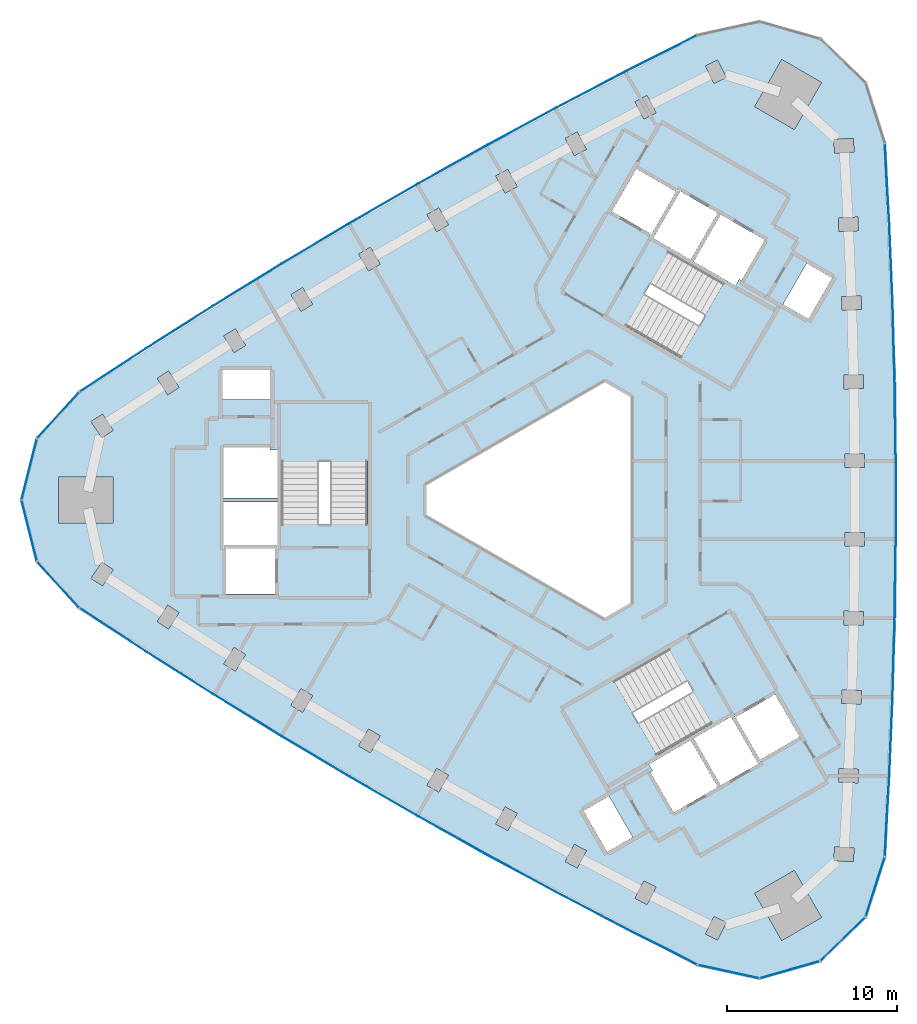
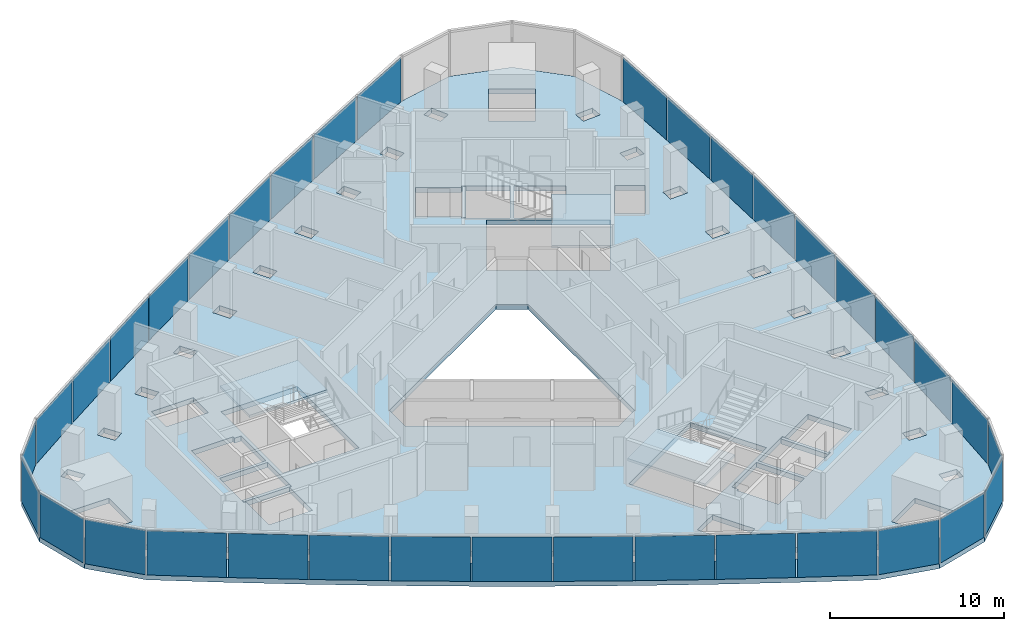
# One storey, part 6 of 12: 35 plates, 4 slabs, 6 elements without a shape of their own.
"""IFC4 building model written with IfcOpenShell, lengths in metres."""

import ifcopenshell
import ifcopenshell.guid

model = None  # the IFC model being written
_history = None  # IfcOwnerHistory: only IFC2X3 demands one
_inside = {}  # id of a spatial element -> (the spatial element, [elements in it])
_under = {}  # id of a project, library or spatial element -> (it, [spatial elements below it])
_declared = {}  # id of a project -> (the project, [libraries it declares])
_typed = {}  # id of a type object -> (the type object, [elements of that type])
_made_of = {}  # id of a material, layer set ... -> (it, [elements and type objects made of it])


def new_model(schema):
    """Start an empty IFC model of exactly this schema.

    Asked for "IFC4X3", IfcOpenShell would pick the latest addendum, in which some entities
    have other attributes; the version numbers below select the first issue.
    IFC2X3 requires an IfcOwnerHistory on every rooted entity: one is made here for all.
    """
    global model, _history
    if schema == "IFC4X3":
        model = ifcopenshell.file(schema_version=(4, 3, 0, 0))
    else:
        model = ifcopenshell.file(schema=schema)
    _inside.clear()
    _under.clear()
    _declared.clear()
    _typed.clear()
    _made_of.clear()
    _history = None
    if model.schema == "IFC2X3":
        org = make("IfcOrganization", Name="unknown")
        user = make(
            "IfcPersonAndOrganization",
            ThePerson=make("IfcPerson", FamilyName="unknown"),
            TheOrganization=org,
        )
        app = make(
            "IfcApplication",
            ApplicationDeveloper=org,
            Version="unknown",
            ApplicationFullName="unknown",
            ApplicationIdentifier="unknown",
        )
        _history = make(
            "IfcOwnerHistory",
            OwningUser=user,
            OwningApplication=app,
            ChangeAction="ADDED",
            CreationDate=0,
        )
    return model


def make(cls, **values):
    """One entity of the class cls with the attributes given. An attribute that is None is left unset."""
    return model.create_entity(
        cls, **{name: value for name, value in values.items() if value is not None}
    )


def rooted(cls, **values):
    """An entity with a GlobalId (a new one), such as an element, a storey or a relation."""
    return make(cls, GlobalId=ifcopenshell.guid.new(), OwnerHistory=_history, **values)


def si_unit(unit_type, name, prefix=None):
    """IfcSIUnit, for example si_unit("LENGTHUNIT", "METRE", prefix="MILLI")."""
    return make("IfcSIUnit", UnitType=unit_type, Prefix=prefix, Name=name)


def assignment(units):
    """IfcUnitAssignment: the units of a project."""
    return None if units is None else make("IfcUnitAssignment", Units=units)


def point(xyz):
    """IfcCartesianPoint."""
    return None if xyz is None else make("IfcCartesianPoint", Coordinates=xyz)


def direction(xyz):
    """IfcDirection."""
    return None if xyz is None else make("IfcDirection", DirectionRatios=xyz)


def frame(location, z_axis=None, x_axis=None):
    """IfcAxis2Placement3D, a coordinate frame: its origin and axes. An axis left out is left unset."""
    return make(
        "IfcAxis2Placement3D",
        Location=point(location),
        Axis=direction(z_axis),
        RefDirection=direction(x_axis),
    )


def frame_2d(location, x_axis=None):
    """IfcAxis2Placement2D, a coordinate frame in the plane: its origin and x axis."""
    return make(
        "IfcAxis2Placement2D", Location=point(location), RefDirection=direction(x_axis)
    )


def origin():
    """The frame at (0, 0, 0) with its axes left unset."""
    return frame((0.0, 0.0, 0.0))


def origin_2d():
    """The frame at (0, 0) in the plane with its x axis left unset."""
    return frame_2d((0.0, 0.0))


def place(relative_to, where):
    """IfcLocalPlacement: puts the frame where relative to a parent placement (None: the world)."""
    return make(
        "IfcLocalPlacement", PlacementRelTo=relative_to, RelativePlacement=where
    )


def context(
    kind, dimensions, precision=None, world=None, true_north=None, identifier=None
):
    """IfcGeometricRepresentationContext, for example the 3D "Model" context."""
    return make(
        "IfcGeometricRepresentationContext",
        ContextIdentifier=identifier,
        ContextType=kind,
        CoordinateSpaceDimension=dimensions,
        Precision=precision,
        WorldCoordinateSystem=world,
        TrueNorth=true_north,
    )


def subcontext(parent, identifier, kind, view, scale=None):
    """IfcGeometricRepresentationSubContext, for example "Body" below "Model"."""
    return make(
        "IfcGeometricRepresentationSubContext",
        ContextIdentifier=identifier,
        ContextType=kind,
        ParentContext=parent,
        TargetScale=scale,
        TargetView=view,
    )


def project(units=None, contexts=None):
    """IfcProject with its units and contexts."""
    return rooted(
        "IfcProject",
        Name="project",
        RepresentationContexts=contexts,
        UnitsInContext=assignment(units),
    )


def spatial(cls, under=None, at=None, **own):
    """A site, building, storey or space (cls), placed at a placement, below another one or the project."""
    s = rooted(cls, ObjectPlacement=at, **own)
    if under is not None:
        _under.setdefault(under.id(), (under, []))[1].append(s)
    return s


def polyline(points):
    """IfcPolyline through the points."""
    return make("IfcPolyline", Points=[point(p) for p in points])


def profile(cls, at=None, kind="AREA", **sizes):
    """A parametric profile (cls). Its sizes go by their IFC names, for example OverallWidth=200.0."""
    return make(cls, ProfileType=kind, Position=at, **sizes)


def rectangle(**sizes):
    """IfcRectangleProfileDef."""
    return profile("IfcRectangleProfileDef", **sizes)


def outline(outer, holes=None, kind="AREA"):
    """IfcArbitraryClosedProfileDef: a profile drawn as a closed curve; with holes, ...WithVoids."""
    if holes is None:
        return make("IfcArbitraryClosedProfileDef", ProfileType=kind, OuterCurve=outer)
    return make(
        "IfcArbitraryProfileDefWithVoids",
        ProfileType=kind,
        OuterCurve=outer,
        InnerCurves=holes,
    )


def extrude(swept, where, along, depth):
    """IfcExtrudedAreaSolid: the profile swept, set in the frame where, extruded along a direction by depth."""
    return make(
        "IfcExtrudedAreaSolid",
        SweptArea=swept,
        Position=where,
        ExtrudedDirection=direction(along),
        Depth=depth,
    )


def shape(context_of_items, identifier, shape_type, items):
    """IfcShapeRepresentation: the items that make up one representation, for example the "Body"."""
    return make(
        "IfcShapeRepresentation",
        ContextOfItems=context_of_items,
        RepresentationIdentifier=identifier,
        RepresentationType=shape_type,
        Items=items,
    )


def material(Name=None, Category=None):
    """IfcMaterial."""
    return make("IfcMaterial", Name=Name, Category=Category)


def layer(
    of_material, thickness, ventilated=None, Name=None, Category=None, Priority=None
):
    """IfcMaterialLayer: one layer of a wall or slab, of a material (None: an air gap)."""
    return make(
        "IfcMaterialLayer",
        Material=of_material,
        LayerThickness=thickness,
        IsVentilated=ventilated,
        Name=Name,
        Category=Category,
        Priority=Priority,
    )


def layer_set(layers, Name=None):
    """IfcMaterialLayerSet."""
    return make("IfcMaterialLayerSet", MaterialLayers=layers, LayerSetName=Name)


def made_of(thing, what):
    """Note that an element or type object is made of a material, layer set ...; save() writes the relation."""
    if what is not None:
        _made_of.setdefault(what.id(), (what, []))[1].append(thing)
    return thing


def type_object(cls, material=None, **own):
    """A type object (cls), such as IfcWallType, which elements share."""
    return made_of(rooted(cls, **own), material)


def element(
    cls,
    number,
    at=None,
    inside=None,
    cuts=None,
    type_object=None,
    material=None,
    context=None,
    identifier="Body",
    shape_type=None,
    held_by="IfcProductDefinitionShape",
    body=None,
    shapes=None,
    **own,
):
    """One element of the class cls, such as IfcWall. Its Tag is "e" and its number.

    at: its placement. inside: the storey or other place that contains it. cuts: it is an
    opening in that element (IfcRelVoidsElement). A single representation is given by context,
    identifier, shape_type and body (its items); several are given by shapes. held_by: the class
    of the entity that holds the representations. save() writes the other relations.
    """
    e = rooted(cls, Tag="e%d" % number, ObjectPlacement=at, **own)
    if body is not None:
        shapes = [shape(context, identifier, shape_type, body)]
    if shapes is not None:
        e.Representation = make(held_by, Representations=shapes)
    if inside is not None:
        _inside.setdefault(inside.id(), (inside, []))[1].append(e)
    if cuts is not None:
        rooted(
            "IfcRelVoidsElement", RelatingBuildingElement=cuts, RelatedOpeningElement=e
        )
    if type_object is not None:
        _typed.setdefault(type_object.id(), (type_object, []))[1].append(e)
    return made_of(e, material)


def aggregate(whole, parts):
    """IfcRelAggregates: a whole, such as a stair, and the parts it consists of."""
    return rooted("IfcRelAggregates", RelatingObject=whole, RelatedObjects=parts)


def save(model, path):
    """Write the relations noted so far, then the file.

    IfcRelAggregates (storeys below a building ...), IfcRelContainedInSpatialStructure (elements
    in a storey), IfcRelDefinesByType, IfcRelAssociatesMaterial and IfcRelDeclares: one each for
    every whole, place, type object, material and project.
    """
    for whole, parts in _under.values():
        aggregate(whole, parts)
    for where, things in _inside.values():
        rooted(
            "IfcRelContainedInSpatialStructure",
            RelatedElements=things,
            RelatingStructure=where,
        )
    for kind, things in _typed.values():
        rooted("IfcRelDefinesByType", RelatedObjects=things, RelatingType=kind)
    for what, things in _made_of.values():
        rooted("IfcRelAssociatesMaterial", RelatedObjects=things, RelatingMaterial=what)
    for by, libraries in _declared.values():
        rooted("IfcRelDeclares", RelatingContext=by, RelatedDefinitions=libraries)
    model.write(path)


model = new_model("IFC4")

# Units and contexts
model_context = context("Model", 3, precision=1e-05, world=origin(), true_north=direction((0.0, 1.0)))
body_context = subcontext(model_context, "Body", "Model", "MODEL_VIEW")
ifc_project = project(units=[si_unit("LENGTHUNIT", "METRE"), si_unit("AREAUNIT", "SQUARE_METRE"), si_unit("VOLUMEUNIT", "CUBIC_METRE"), si_unit("PLANEANGLEUNIT", "RADIAN"), si_unit("MASSUNIT", "GRAM", prefix="KILO")], contexts=[model_context])

# Site, building, storey
site_placement = place(None, origin())
site = spatial("IfcSite", under=ifc_project, at=site_placement, CompositionType="ELEMENT")
building_placement = place(site_placement, origin())
building = spatial("IfcBuilding", under=site, at=building_placement, Name="Tamra Quay Hotel Tower", CompositionType="ELEMENT")
storey_placement = place(building_placement, frame((0.0, 0.0, 200.800048828125)))
storey = spatial("IfcBuildingStorey", under=building, at=storey_placement, Name="L50", CompositionType="ELEMENT", Elevation=200.800048828125)

# Stair, slab
ifc_material_1 = material(Name="Exit stair 2200 24 risers 150.0 going 342")
stair_type = type_object("IfcStairType", Name="Exit stair 2200 24 risers 150.0 going 342", PredefinedType="HALF_TURN_STAIR", material=ifc_material_1)
stair_1_placement = place(storey_placement, origin())
stair_1 = element("IfcStair", 1, at=stair_1_placement, inside=storey, type_object=stair_type, Name="L50 Exit stair ST3", PredefinedType="HALF_TURN_STAIR")
ifc_material_2 = material(Name="Concrete M70", Category="concrete")
ifc_layer_1 = layer(ifc_material_2, 0.175048828125)
ifc_layer_set_1 = layer_set([ifc_layer_1], Name="Concrete M70 stair landing 180")
slab_type_1 = type_object("IfcSlabType", Name="Concrete M70 stair landing 180", PredefinedType="LANDING", material=ifc_layer_set_1)
slab_1_placement = place(storey_placement, frame((0.0, 0.0, 1.625)))
slab_1 = element("IfcSlab", 2, at=slab_1_placement, type_object=slab_type_1, Name="ST3 landing 1", PredefinedType="LANDING", context=body_context, shape_type="SweptSolid", body=[
    extrude(outline(polyline([(-10.932373046875, 2.261962890625), (-10.932373046875, 5.679931640625), (-16.09130859375, 5.679931640625), (-16.09130859375, 2.261962890625), (-10.932373046875, 2.261962890625)])), origin(), (0.0, 0.0, 1.0), 0.175048828125),
])
aggregate(stair_1, [slab_1])

stair_2_placement = place(storey_placement, origin())
stair_2 = element("IfcStair", 3, at=stair_2_placement, inside=storey, type_object=stair_type, Name="L50 Exit stair ST1", PredefinedType="HALF_TURN_STAIR")
slab_2_placement = place(storey_placement, frame((0.0, 0.0, 1.625)))
slab_2 = element("IfcSlab", 4, at=slab_2_placement, type_object=slab_type_1, Name="ST1 landing 1", PredefinedType="LANDING", context=body_context, shape_type="SweptSolid", body=[
    extrude(outline(polyline([(7.425048828125, 8.336669921875), (10.385009765625, 6.627685546875), (12.964599609375, 11.095458984375), (10.00439453125, 12.804443359375), (7.425048828125, 8.336669921875)])), origin(), (0.0, 0.0, 1.0), 0.175048828125),
])
aggregate(stair_2, [slab_2])

stair_3_placement = place(storey_placement, origin())
stair_3 = element("IfcStair", 5, at=stair_3_placement, inside=storey, type_object=stair_type, Name="L50 Exit stair ST2", PredefinedType="HALF_TURN_STAIR")
slab_3_placement = place(storey_placement, frame((0.0, 0.0, 1.625)))
slab_3 = element("IfcSlab", 6, at=slab_3_placement, type_object=slab_type_1, Name="ST2 landing 1", PredefinedType="LANDING", context=body_context, shape_type="SweptSolid", body=[
    extrude(outline(polyline([(3.50732421875, -10.5986328125), (0.547119140625, -12.3076171875), (3.126708984375, -16.775390625), (6.086669921875, -15.06640625), (3.50732421875, -10.5986328125)])), origin(), (0.0, 0.0, 1.0), 0.175048828125),
])
aggregate(stair_3, [slab_3])

# Slab
ifc_material_3 = material(Name="Concrete M60", Category="concrete")
ifc_layer_2 = layer(ifc_material_3, 0.35009765625)
ifc_layer_set_2 = layer_set([ifc_layer_2], Name="FLOOR SLAB PT 350")
slab_type_2 = type_object("IfcSlabType", Name="FLOOR SLAB PT 350", PredefinedType="FLOOR", material=ifc_layer_set_2)
slab_4_placement = place(storey_placement, frame((0.0, 0.0, -0.35009765625)))
element("IfcSlab", 7, at=slab_4_placement, inside=storey, type_object=slab_type_2, Name="SLAB-L50", PredefinedType="FLOOR", context=body_context, shape_type="SweptSolid", body=[
    extrude(outline(polyline([(19.734619140625, 16.342041015625), (19.9287109375, 11.6748046875), (20.058349609375, 7.006591796875), (20.123291015625, 2.335693359375), (20.123291015625, -2.335693359375), (20.058349609375, -7.006591796875), (19.9287109375, -11.6748046875), (19.734619140625, -16.342041015625), (19.4755859375, -21.00537109375), (18.345703125, -24.553466796875), (15.67236328125, -27.1455078125), (12.091064453125, -28.164794921875), (8.453369140625, -27.369140625), (4.285400390625, -25.261474609375), (0.146240234375, -23.09619140625), (-3.961181640625, -20.87451171875), (-8.038818359375, -18.59521484375), (-12.08447265625, -16.259521484375), (-16.09716796875, -13.86767578125), (-20.074951171875, -11.42138671875), (-24.019775390625, -8.91943359375), (-27.928955078125, -6.36376953125), (-30.436767578125, -3.611083984375), (-31.3447265625, 0.0), (-30.436767578125, 3.611083984375), (-27.928955078125, 6.36376953125), (-24.019775390625, 8.91943359375), (-20.074951171875, 11.42138671875), (-16.09716796875, 13.86767578125), (-12.08447265625, 16.259521484375), (-8.038818359375, 18.59521484375), (-3.961181640625, 20.87451171875), (0.146240234375, 23.09619140625), (4.285400390625, 25.261474609375), (8.453369140625, 27.369140625), (12.091064453125, 28.164794921875), (15.67236328125, 27.1455078125), (18.345703125, 24.553466796875), (19.4755859375, 21.00537109375), (19.734619140625, 16.342041015625)]), holes=[polyline([(-11.500244140625, -14.4736328125), (-10.810302734375, -14.87841796875), (-10.228271484375, -13.88671875), (-10.918212890625, -13.481689453125), (-11.500244140625, -14.4736328125)]), polyline([(-14.89208984375, -11.106689453125), (-15.488037109375, -12.09033203125), (-14.8037109375, -12.5048828125), (-14.207763671875, -11.521240234375), (-14.89208984375, -11.106689453125)]), polyline([(-18.83349609375, -8.6767578125), (-19.4423828125, -9.65234375), (-18.763916015625, -10.075927734375), (-18.15478515625, -9.100341796875), (-18.83349609375, -8.6767578125)]), polyline([(-23.362548828125, -7.159423828125), (-22.689697265625, -7.59228515625), (-22.0673828125, -6.62548828125), (-22.739990234375, -6.1923828125), (-23.362548828125, -7.159423828125)]), polyline([(-26.6123046875, -3.654296875), (-27.247802734375, -4.612548828125), (-26.5810546875, -5.0546875), (-25.945556640625, -4.096435546875), (-26.6123046875, -3.654296875)]), polyline([(-16.3173828125, -2.85498046875), (-19.4072265625, -2.85498046875), (-19.4072265625, -2.89306640625), (-19.307373046875, -2.89306640625), (-19.307373046875, -5.544921875), (-16.417236328125, -5.544921875), (-16.417236328125, -2.89306640625), (-16.3173828125, -2.89306640625), (-16.3173828125, -2.85498046875)]), polyline([(-19.417236328125, -2.64501953125), (-16.307373046875, -2.64501953125), (-16.307373046875, -2.89306640625), (-16.26708984375, -2.89306640625), (-16.26708984375, -0.10498046875), (-19.45751953125, -0.10498046875), (-19.45751953125, -2.89306640625), (-19.417236328125, -2.89306640625), (-19.417236328125, -2.64501953125)]), polyline([(-25.958984375, 1.35009765625), (-29.158935546875, 1.35009765625), (-29.158935546875, -1.35009765625), (-25.958984375, -1.35009765625), (-25.958984375, 1.35009765625)]), polyline([(-16.26708984375, 2.945068359375), (-16.707275390625, 2.945068359375), (-16.707275390625, 3.09521484375), (-19.45751953125, 3.09521484375), (-19.45751953125, 0.10498046875), (-16.26708984375, 0.10498046875), (-16.26708984375, 2.945068359375)]), polyline([(-10.9873046875, -1.455078125), (-10.9873046875, 5.625), (-16.036376953125, 5.625), (-16.036376953125, -1.455078125), (-10.9873046875, -1.455078125)]), polyline([(-25.945556640625, 4.096435546875), (-26.5810546875, 5.0546875), (-27.247802734375, 4.612548828125), (-26.6123046875, 3.654296875), (-25.945556640625, 4.096435546875)]), polyline([(-16.71728515625, 7.64501953125), (-19.50732421875, 7.64501953125), (-19.50732421875, 5.9150390625), (-16.71728515625, 5.9150390625), (-16.71728515625, 7.64501953125)]), polyline([(-22.689697265625, 7.59228515625), (-23.362548828125, 7.159423828125), (-22.739990234375, 6.1923828125), (-22.0673828125, 6.62548828125), (-22.689697265625, 7.59228515625)]), polyline([(-18.15478515625, 9.100341796875), (-18.763916015625, 10.075927734375), (-19.4423828125, 9.65234375), (-18.83349609375, 8.6767578125), (-18.15478515625, 9.100341796875)]), polyline([(-14.207763671875, 11.521240234375), (-14.8037109375, 12.5048828125), (-15.488037109375, 12.09033203125), (-14.89208984375, 11.106689453125), (-14.207763671875, 11.521240234375)]), polyline([(-10.810302734375, 14.87841796875), (-11.500244140625, 14.4736328125), (-10.918212890625, 13.481689453125), (-10.228271484375, 13.88671875), (-10.810302734375, 14.87841796875)]), polyline([(-6.21630859375, 16.196533203125), (-6.784423828125, 17.1962890625), (-7.47998046875, 16.80126953125), (-6.912109375, 15.801513671875), (-6.21630859375, 16.196533203125)]), polyline([(9.42529296875, -24.517578125), (8.9130859375, -25.547119140625), (9.629150390625, -25.903564453125), (10.141357421875, -24.8740234375), (9.42529296875, -24.517578125)]), polyline([(4.76953125, -23.4462890625), (5.48095703125, -23.812255859375), (6.007080078125, -22.78955078125), (5.2958984375, -22.423583984375), (4.76953125, -23.4462890625)]), polyline([(1.196533203125, -20.272705078125), (0.656005859375, -21.28759765625), (1.362060546875, -21.663818359375), (1.902587890625, -20.648681640625), (1.196533203125, -20.272705078125)]), polyline([(1.73779296875, -18.300048828125), (3.1328125, -20.71630859375), (4.631103515625, -19.851318359375), (3.236083984375, -17.43505859375), (1.73779296875, -18.300048828125)]), polyline([(-3.427734375, -19.072998046875), (-2.7265625, -19.458251953125), (-2.172607421875, -18.4501953125), (-2.873779296875, -18.06494140625), (-3.427734375, -19.072998046875)]), polyline([(-6.912109375, -15.801513671875), (-7.47998046875, -16.80126953125), (-6.784423828125, -17.1962890625), (-6.21630859375, -16.196533203125), (-6.912109375, -15.801513671875)]), polyline([(5.5830078125, -15.560302734375), (5.80322265625, -15.94140625), (5.673095703125, -16.0166015625), (7.04833984375, -18.398193359375), (9.6376953125, -16.903076171875), (8.042724609375, -14.14013671875), (5.5830078125, -15.560302734375)]), polyline([(11.999267578125, -15.493408203125), (10.4443359375, -12.800048828125), (10.6591796875, -12.676025390625), (10.63916015625, -12.64111328125), (8.224609375, -14.03515625), (9.819580078125, -16.798095703125), (12.234130859375, -15.404052734375), (12.214111328125, -15.369384765625), (11.999267578125, -15.493408203125)]), polyline([(9.2783203125, -13.160400390625), (6.75390625, -8.78759765625), (0.622314453125, -12.32763671875), (3.146728515625, -16.7001953125), (9.2783203125, -13.160400390625)]), polyline([(3.0, 7.043701171875), (-7.60009765625, 0.923828125), (-7.60009765625, -0.923828125), (3.0, -7.043701171875), (4.60009765625, -6.119873046875), (4.60009765625, 6.119873046875), (3.0, 7.043701171875)]), polyline([(4.2333984375, 10.242919921875), (10.364990234375, 6.702880859375), (12.889404296875, 11.075439453125), (6.758056640625, 14.615478515625), (4.2333984375, 10.242919921875)]), polyline([(7.203125, 18.262451171875), (7.41796875, 18.138427734375), (5.863037109375, 15.445068359375), (5.648193359375, 15.569091796875), (5.628173828125, 15.5341796875), (8.04248046875, 14.140380859375), (9.6376953125, 16.903076171875), (7.22314453125, 18.297119140625), (7.203125, 18.262451171875)]), polyline([(5.68603515625, 15.55859375), (7.231201171875, 18.234619140625), (7.1982421875, 18.253662109375), (7.148193359375, 18.1669921875), (4.8515625, 19.4931640625), (3.406494140625, 16.990234375), (5.703125, 15.664306640625), (5.6533203125, 15.57763671875), (5.68603515625, 15.55859375)]), polyline([(-2.7265625, 19.458251953125), (-3.427734375, 19.072998046875), (-2.873779296875, 18.06494140625), (-2.172607421875, 18.4501953125), (-2.7265625, 19.458251953125)]), polyline([(1.902587890625, 20.648681640625), (1.362060546875, 21.663818359375), (0.656005859375, 21.28759765625), (1.196533203125, 20.272705078125), (1.902587890625, 20.648681640625)]), polyline([(6.007080078125, 22.78955078125), (5.48095703125, 23.812255859375), (4.76953125, 23.4462890625), (5.2958984375, 22.423583984375), (6.007080078125, 22.78955078125)]), polyline([(9.629150390625, 25.903564453125), (8.9130859375, 25.547119140625), (9.42529296875, 24.517578125), (10.141357421875, 24.8740234375), (9.629150390625, 25.903564453125)]), polyline([(11.810302734375, -23.15625), (13.410400390625, -25.927490234375), (15.74853515625, -24.577392578125), (14.148681640625, -21.80615234375), (11.810302734375, -23.15625)]), polyline([(16.470703125, -21.2197265625), (17.61865234375, -21.291015625), (17.668212890625, -20.492431640625), (16.5205078125, -20.42138671875), (16.470703125, -21.2197265625)]), polyline([(17.881591796875, -16.65283203125), (17.920166015625, -15.853759765625), (16.771484375, -15.798095703125), (16.73291015625, -16.59716796875), (17.881591796875, -16.65283203125)]), polyline([(10.631103515625, -12.70361328125), (12.176025390625, -15.379638671875), (12.208984375, -15.360595703125), (12.1591796875, -15.274169921875), (14.455810546875, -13.947998046875), (13.0107421875, -11.4453125), (10.714111328125, -12.771240234375), (10.6640625, -12.6845703125), (10.631103515625, -12.70361328125)]), polyline([(16.930908203125, -11.971923828125), (18.080322265625, -12.011474609375), (18.10791015625, -11.2119140625), (16.95849609375, -11.172607421875), (16.930908203125, -11.971923828125)]), polyline([(18.214599609375, -7.367919921875), (18.2314453125, -6.568115234375), (17.081787109375, -6.543701171875), (17.064697265625, -7.343505859375), (18.214599609375, -7.367919921875)]), polyline([(17.134765625, -2.714599609375), (18.28466796875, -2.72265625), (18.290283203125, -1.9228515625), (17.140380859375, -1.914794921875), (17.134765625, -2.714599609375)]), polyline([(17.140380859375, 1.914794921875), (18.290283203125, 1.9228515625), (18.28466796875, 2.72265625), (17.134765625, 2.714599609375), (17.140380859375, 1.914794921875)]), polyline([(18.2314453125, 6.568115234375), (18.214599609375, 7.367919921875), (17.064697265625, 7.343505859375), (17.081787109375, 6.543701171875), (18.2314453125, 6.568115234375)]), polyline([(16.95849609375, 11.172607421875), (18.10791015625, 11.2119140625), (18.080322265625, 12.011474609375), (16.930908203125, 11.971923828125), (16.95849609375, 11.172607421875)]), polyline([(14.9794921875, 10.655029296875), (16.37451171875, 13.0712890625), (14.876220703125, 13.936279296875), (13.481201171875, 11.52001953125), (14.9794921875, 10.655029296875)]), polyline([(10.68408203125, 12.615234375), (10.904052734375, 12.996337890625), (11.0341796875, 12.92138671875), (12.4091796875, 15.302978515625), (9.819580078125, 16.798095703125), (8.224365234375, 14.035400390625), (10.68408203125, 12.615234375)]), polyline([(16.771484375, 15.798095703125), (17.920166015625, 15.853759765625), (17.881591796875, 16.65283203125), (16.73291015625, 16.59716796875), (16.771484375, 15.798095703125)]), polyline([(16.5205078125, 20.42138671875), (17.668212890625, 20.492431640625), (17.61865234375, 21.291015625), (16.470703125, 21.2197265625), (16.5205078125, 20.42138671875)]), polyline([(14.148681640625, 21.80615234375), (15.74853515625, 24.577392578125), (13.410400390625, 25.927490234375), (11.810302734375, 23.15625), (14.148681640625, 21.80615234375)])]), origin(), (0.0, 0.0, 1.0), 0.35009765625),
])

# Curtain wall, plates
ifc_material_4 = material(Name="Aluminium 6063 anodised dark grey", Category="aluminium")
curtain_wall_type_1 = type_object("IfcCurtainWallType", Name="CW1 CURTAIN WALL", PredefinedType="NOTDEFINED", material=ifc_material_4)
curtain_wall_1_placement = place(storey_placement, origin())
curtain_wall_1 = element("IfcCurtainWall", 8, at=curtain_wall_1_placement, inside=storey, type_object=curtain_wall_type_1, Name="CW1 east face L50", PredefinedType="NOTDEFINED")
ifc_material_5 = material(Name="Glass clear laminated low-iron", Category="glass")
ifc_layer_3 = layer(ifc_material_5, 0.030029296875)
ifc_layer_set_3 = layer_set([ifc_layer_3], Name="GLASS PANEL CW1 Z4")
plate_type_1 = type_object("IfcPlateType", Name="GLASS PANEL CW1 Z4", PredefinedType="CURTAIN_PANEL", material=ifc_layer_set_3)
plate_1_placement = place(storey_placement, frame((19.60498046875, -18.673583984375, 0.0), z_axis=(0.0, 0.0, 1.0), x_axis=(0.055416308058, 0.998463335732, 0.0)))
plate_1 = element("IfcPlate", 9, at=plate_1_placement, type_object=plate_type_1, Name="CW1 glass L50.E.1", PredefinedType="CURTAIN_PANEL", context=body_context, shape_type="SweptSolid", body=[
    extrude(rectangle(XDim=4.570556640625, YDim=0.030029296875, at=origin_2d()), origin(), (0.0, 0.0, 1.0), 3.110107421875),
])
plate_2_placement = place(storey_placement, frame((19.83154296875, -14.00830078125, 0.0), z_axis=(0.0, 0.0, 1.0), x_axis=(0.041599153709, 0.999134380557, 0.0)))
plate_2 = element("IfcPlate", 10, at=plate_2_placement, type_object=plate_type_1, Name="CW1 glass L50.E.2", PredefinedType="CURTAIN_PANEL", context=body_context, shape_type="SweptSolid", body=[
    extrude(rectangle(XDim=4.5712890625, YDim=0.030029296875, at=origin_2d()), origin(), (0.0, 0.0, 1.0), 3.110107421875),
])
plate_3_placement = place(storey_placement, frame((19.99365234375, -9.340576171875, 0.0), z_axis=(0.0, 0.0, 1.0), x_axis=(0.027753587392, 0.999614795002, 0.0)))
plate_3 = element("IfcPlate", 11, at=plate_3_placement, type_object=plate_type_1, Name="CW1 glass L50.E.3", PredefinedType="CURTAIN_PANEL", context=body_context, shape_type="SweptSolid", body=[
    extrude(rectangle(XDim=4.56982421875, YDim=0.030029296875, at=origin_2d()), origin(), (0.0, 0.0, 1.0), 3.110107421875),
])
plate_4_placement = place(storey_placement, frame((20.0908203125, -4.671142578125, 0.0), z_axis=(0.0, 0.0, 1.0), x_axis=(0.013886463743, 0.999903578414, 0.0)))
plate_4 = element("IfcPlate", 12, at=plate_4_placement, type_object=plate_type_1, Name="CW1 glass L50.E.4", PredefinedType="CURTAIN_PANEL", context=body_context, shape_type="SweptSolid", body=[
    extrude(rectangle(XDim=4.571533203125, YDim=0.030029296875, at=origin_2d()), origin(), (0.0, 0.0, 1.0), 3.110107421875),
])
plate_5_placement = place(storey_placement, frame((20.123291015625, 0.0, 0.0), z_axis=(0.0, 0.0, 1.0), x_axis=(0.0, 1.0, 0.0)))
plate_5 = element("IfcPlate", 13, at=plate_5_placement, type_object=plate_type_1, Name="CW1 glass L50.E.5", PredefinedType="CURTAIN_PANEL", context=body_context, shape_type="SweptSolid", body=[
    extrude(rectangle(XDim=4.571533203125, YDim=0.030029296875, at=origin_2d()), origin(), (0.0, 0.0, 1.0), 3.110107421875),
])
plate_6_placement = place(storey_placement, frame((20.0908203125, 4.671142578125, 0.0), z_axis=(0.0, 0.0, 1.0), x_axis=(-0.013886463743, 0.999903578414, 0.0)))
plate_6 = element("IfcPlate", 14, at=plate_6_placement, type_object=plate_type_1, Name="CW1 glass L50.E.6", PredefinedType="CURTAIN_PANEL", context=body_context, shape_type="SweptSolid", body=[
    extrude(rectangle(XDim=4.571533203125, YDim=0.030029296875, at=origin_2d()), origin(), (0.0, 0.0, 1.0), 3.110107421875),
])
plate_7_placement = place(storey_placement, frame((19.99365234375, 9.340576171875, 0.0), z_axis=(0.0, 0.0, 1.0), x_axis=(-0.027753587392, 0.999614795002, 0.0)))
plate_7 = element("IfcPlate", 15, at=plate_7_placement, type_object=plate_type_1, Name="CW1 glass L50.E.7", PredefinedType="CURTAIN_PANEL", context=body_context, shape_type="SweptSolid", body=[
    extrude(rectangle(XDim=4.56982421875, YDim=0.030029296875, at=origin_2d()), origin(), (0.0, 0.0, 1.0), 3.110107421875),
])
plate_8_placement = place(storey_placement, frame((19.83154296875, 14.00830078125, 0.0), z_axis=(0.0, 0.0, 1.0), x_axis=(-0.041599153709, 0.999134380557, 0.0)))
plate_8 = element("IfcPlate", 16, at=plate_8_placement, type_object=plate_type_1, Name="CW1 glass L50.E.8", PredefinedType="CURTAIN_PANEL", context=body_context, shape_type="SweptSolid", body=[
    extrude(rectangle(XDim=4.5712890625, YDim=0.030029296875, at=origin_2d()), origin(), (0.0, 0.0, 1.0), 3.110107421875),
])
plate_9_placement = place(storey_placement, frame((19.60498046875, 18.673583984375, 0.0), z_axis=(0.0, 0.0, 1.0), x_axis=(-0.055416308058, 0.998463335732, 0.0)))
plate_9 = element("IfcPlate", 17, at=plate_9_placement, type_object=plate_type_1, Name="CW1 glass L50.E.9", PredefinedType="CURTAIN_PANEL", context=body_context, shape_type="SweptSolid", body=[
    extrude(rectangle(XDim=4.570556640625, YDim=0.030029296875, at=origin_2d()), origin(), (0.0, 0.0, 1.0), 3.110107421875),
])
aggregate(curtain_wall_1, [plate_1, plate_2, plate_3, plate_4, plate_5, plate_6, plate_7, plate_8, plate_9])

curtain_wall_type_2 = type_object("IfcCurtainWallType", Name="CW2 CURTAIN WALL", PredefinedType="NOTDEFINED", material=ifc_material_4)
curtain_wall_2_placement = place(storey_placement, origin())
curtain_wall_2 = element("IfcCurtainWall", 18, at=curtain_wall_2_placement, inside=storey, type_object=curtain_wall_type_2, Name="CW2 north-west face L50", PredefinedType="NOTDEFINED")
ifc_layer_4 = layer(ifc_material_5, 0.030029296875)
ifc_layer_set_4 = layer_set([ifc_layer_4], Name="GLASS PANEL CW2 Z4")
plate_type_2 = type_object("IfcPlateType", Name="GLASS PANEL CW2 Z4", PredefinedType="CURTAIN_PANEL", material=ifc_layer_set_4)
plate_10_placement = place(storey_placement, frame((6.369384765625, 26.3154296875, 0.0), z_axis=(0.0, 0.0, 1.0), x_axis=(-0.89240276752, -0.451239737304, 0.0)))
plate_10 = element("IfcPlate", 19, at=plate_10_placement, type_object=plate_type_2, Name="CW2 glass L50.NW.1", PredefinedType="CURTAIN_PANEL", context=body_context, shape_type="SweptSolid", body=[
    extrude(rectangle(XDim=4.570556640625, YDim=0.030029296875, at=origin_2d()), origin(), (0.0, 0.0, 1.0), 3.110107421875),
])
plate_11_placement = place(storey_placement, frame((2.2158203125, 24.178955078125, 0.0), z_axis=(0.0, 0.0, 1.0), x_axis=(-0.886075332211, -0.46354126639, 0.0)))
plate_11 = element("IfcPlate", 20, at=plate_11_placement, type_object=plate_type_2, Name="CW2 glass L50.NW.2", PredefinedType="CURTAIN_PANEL", context=body_context, shape_type="SweptSolid", body=[
    extrude(rectangle(XDim=4.5712890625, YDim=0.030029296875, at=origin_2d()), origin(), (0.0, 0.0, 1.0), 3.110107421875),
])
plate_12_placement = place(storey_placement, frame((-1.907470703125, 21.9853515625, 0.0), z_axis=(0.0, 0.0, 1.0), x_axis=(-0.879568600166, -0.475772085773, 0.0)))
plate_12 = element("IfcPlate", 21, at=plate_12_placement, type_object=plate_type_2, Name="CW2 glass L50.NW.3", PredefinedType="CURTAIN_PANEL", context=body_context, shape_type="SweptSolid", body=[
    extrude(rectangle(XDim=4.56982421875, YDim=0.030029296875, at=origin_2d()), origin(), (0.0, 0.0, 1.0), 3.110107421875),
])
plate_13_placement = place(storey_placement, frame((-6.0, 19.73486328125, 0.0), z_axis=(0.0, 0.0, 1.0), x_axis=(-0.872885132113, -0.487925758836, 0.0)))
plate_13 = element("IfcPlate", 22, at=plate_13_placement, type_object=plate_type_2, Name="CW2 glass L50.NW.4", PredefinedType="CURTAIN_PANEL", context=body_context, shape_type="SweptSolid", body=[
    extrude(rectangle(XDim=4.571533203125, YDim=0.030029296875, at=origin_2d()), origin(), (0.0, 0.0, 1.0), 3.110107421875),
])
plate_14_placement = place(storey_placement, frame((-10.0615234375, 17.42724609375, 0.0), z_axis=(0.0, 0.0, 1.0), x_axis=(-0.866025403784, -0.5, 0.0)))
plate_14 = element("IfcPlate", 23, at=plate_14_placement, type_object=plate_type_2, Name="CW2 glass L50.NW.5", PredefinedType="CURTAIN_PANEL", context=body_context, shape_type="SweptSolid", body=[
    extrude(rectangle(XDim=4.571533203125, YDim=0.030029296875, at=origin_2d()), origin(), (0.0, 0.0, 1.0), 3.110107421875),
])
plate_15_placement = place(storey_placement, frame((-14.0908203125, 15.0634765625, 0.0), z_axis=(0.0, 0.0, 1.0), x_axis=(-0.85899866837, -0.511977819577, 0.0)))
plate_15 = element("IfcPlate", 24, at=plate_15_placement, type_object=plate_type_2, Name="CW2 glass L50.NW.6", PredefinedType="CURTAIN_PANEL", context=body_context, shape_type="SweptSolid", body=[
    extrude(rectangle(XDim=4.571533203125, YDim=0.030029296875, at=origin_2d()), origin(), (0.0, 0.0, 1.0), 3.110107421875),
])
plate_16_placement = place(storey_placement, frame((-18.0859375, 12.64453125, 0.0), z_axis=(0.0, 0.0, 1.0), x_axis=(-0.851815012775, -0.523842709229, 0.0)))
plate_16 = element("IfcPlate", 25, at=plate_16_placement, type_object=plate_type_2, Name="CW2 glass L50.NW.7", PredefinedType="CURTAIN_PANEL", context=body_context, shape_type="SweptSolid", body=[
    extrude(rectangle(XDim=4.56982421875, YDim=0.030029296875, at=origin_2d()), origin(), (0.0, 0.0, 1.0), 3.110107421875),
])
plate_17_placement = place(storey_placement, frame((-22.04736328125, 10.17041015625, 0.0), z_axis=(0.0, 0.0, 1.0), x_axis=(-0.844476178502, -0.535593114167, 0.0)))
plate_17 = element("IfcPlate", 26, at=plate_17_placement, type_object=plate_type_2, Name="CW2 glass L50.NW.8", PredefinedType="CURTAIN_PANEL", context=body_context, shape_type="SweptSolid", body=[
    extrude(rectangle(XDim=4.5712890625, YDim=0.030029296875, at=origin_2d()), origin(), (0.0, 0.0, 1.0), 3.110107421875),
])
plate_18_placement = place(storey_placement, frame((-25.974365234375, 7.6416015625, 0.0), z_axis=(0.0, 0.0, 1.0), x_axis=(-0.836986459463, -0.547223598428, 0.0)))
plate_18 = element("IfcPlate", 27, at=plate_18_placement, type_object=plate_type_2, Name="CW2 glass L50.NW.9", PredefinedType="CURTAIN_PANEL", context=body_context, shape_type="SweptSolid", body=[
    extrude(rectangle(XDim=4.570556640625, YDim=0.030029296875, at=origin_2d()), origin(), (0.0, 0.0, 1.0), 3.110107421875),
])
plate_19_placement = place(storey_placement, frame((-29.182861328125, 4.987548828125, 0.0), z_axis=(0.0, 0.0, 1.0), x_axis=(-0.673495681519, -0.739191157262, 0.0)))
plate_19 = element("IfcPlate", 28, at=plate_19_placement, type_object=plate_type_2, Name="CW2 glass L50.NW.10", PredefinedType="CURTAIN_PANEL", context=body_context, shape_type="SweptSolid", body=[
    extrude(rectangle(XDim=3.62353515625, YDim=0.030029296875, at=origin_2d()), origin(), (0.0, 0.0, 1.0), 3.110107421875),
])
plate_20_placement = place(storey_placement, frame((-30.890869140625, 1.8056640625, 0.0), z_axis=(0.0, 0.0, 1.0), x_axis=(-0.243826260198, -0.969818928892, 0.0)))
plate_20 = element("IfcPlate", 29, at=plate_20_placement, type_object=plate_type_2, Name="CW2 glass L50.NW.11", PredefinedType="CURTAIN_PANEL", context=body_context, shape_type="SweptSolid", body=[
    extrude(rectangle(XDim=3.62353515625, YDim=0.030029296875, at=origin_2d()), origin(), (0.0, 0.0, 1.0), 3.110107421875),
])
plate_21_placement = place(storey_placement, frame((-30.890869140625, -1.8056640625, 0.0), z_axis=(0.0, 0.0, 1.0), x_axis=(0.243826260198, -0.969818928892, 0.0)))
plate_21 = element("IfcPlate", 30, at=plate_21_placement, type_object=plate_type_2, Name="CW2 glass L50.NW.12", PredefinedType="CURTAIN_PANEL", context=body_context, shape_type="SweptSolid", body=[
    extrude(rectangle(XDim=3.62353515625, YDim=0.030029296875, at=origin_2d()), origin(), (0.0, 0.0, 1.0), 3.110107421875),
])
plate_22_placement = place(storey_placement, frame((-29.182861328125, -4.987548828125, 0.0), z_axis=(0.0, 0.0, 1.0), x_axis=(0.673495681519, -0.739191157262, 0.0)))
plate_22 = element("IfcPlate", 31, at=plate_22_placement, type_object=plate_type_2, Name="CW2 glass L50.NW.13", PredefinedType="CURTAIN_PANEL", context=body_context, shape_type="SweptSolid", body=[
    extrude(rectangle(XDim=3.62353515625, YDim=0.030029296875, at=origin_2d()), origin(), (0.0, 0.0, 1.0), 3.110107421875),
])
aggregate(curtain_wall_2, [plate_10, plate_11, plate_12, plate_13, plate_14, plate_15, plate_16, plate_17, plate_18, plate_19, plate_20, plate_21, plate_22])

curtain_wall_type_3 = type_object("IfcCurtainWallType", Name="CW3 CURTAIN WALL", PredefinedType="NOTDEFINED", material=ifc_material_4)
curtain_wall_3_placement = place(storey_placement, origin())
curtain_wall_3 = element("IfcCurtainWall", 32, at=curtain_wall_3_placement, inside=storey, type_object=curtain_wall_type_3, Name="CW3 south-west face L50", PredefinedType="NOTDEFINED")
ifc_layer_5 = layer(ifc_material_5, 0.030029296875)
ifc_layer_set_5 = layer_set([ifc_layer_5], Name="GLASS PANEL CW3 Z4")
plate_type_3 = type_object("IfcPlateType", Name="GLASS PANEL CW3 Z4", PredefinedType="CURTAIN_PANEL", material=ifc_layer_set_5)
plate_23_placement = place(storey_placement, frame((-25.974365234375, -7.6416015625, 0.0), z_axis=(0.0, 0.0, 1.0), x_axis=(0.836986459463, -0.547223598428, 0.0)))
plate_23 = element("IfcPlate", 33, at=plate_23_placement, type_object=plate_type_3, Name="CW3 glass L50.SW.1", PredefinedType="CURTAIN_PANEL", context=body_context, shape_type="SweptSolid", body=[
    extrude(rectangle(XDim=4.570556640625, YDim=0.030029296875, at=origin_2d()), origin(), (0.0, 0.0, 1.0), 3.110107421875),
])
plate_24_placement = place(storey_placement, frame((-22.04736328125, -10.17041015625, 0.0), z_axis=(0.0, 0.0, 1.0), x_axis=(0.844476178502, -0.535593114167, 0.0)))
plate_24 = element("IfcPlate", 34, at=plate_24_placement, type_object=plate_type_3, Name="CW3 glass L50.SW.2", PredefinedType="CURTAIN_PANEL", context=body_context, shape_type="SweptSolid", body=[
    extrude(rectangle(XDim=4.5712890625, YDim=0.030029296875, at=origin_2d()), origin(), (0.0, 0.0, 1.0), 3.110107421875),
])
plate_25_placement = place(storey_placement, frame((-18.0859375, -12.64453125, 0.0), z_axis=(0.0, 0.0, 1.0), x_axis=(0.851815012775, -0.523842709229, 0.0)))
plate_25 = element("IfcPlate", 35, at=plate_25_placement, type_object=plate_type_3, Name="CW3 glass L50.SW.3", PredefinedType="CURTAIN_PANEL", context=body_context, shape_type="SweptSolid", body=[
    extrude(rectangle(XDim=4.56982421875, YDim=0.030029296875, at=origin_2d()), origin(), (0.0, 0.0, 1.0), 3.110107421875),
])
plate_26_placement = place(storey_placement, frame((-14.0908203125, -15.0634765625, 0.0), z_axis=(0.0, 0.0, 1.0), x_axis=(0.85899866837, -0.511977819577, 0.0)))
plate_26 = element("IfcPlate", 36, at=plate_26_placement, type_object=plate_type_3, Name="CW3 glass L50.SW.4", PredefinedType="CURTAIN_PANEL", context=body_context, shape_type="SweptSolid", body=[
    extrude(rectangle(XDim=4.571533203125, YDim=0.030029296875, at=origin_2d()), origin(), (0.0, 0.0, 1.0), 3.110107421875),
])
plate_27_placement = place(storey_placement, frame((-10.0615234375, -17.42724609375, 0.0), z_axis=(0.0, 0.0, 1.0), x_axis=(0.866025403784, -0.5, 0.0)))
plate_27 = element("IfcPlate", 37, at=plate_27_placement, type_object=plate_type_3, Name="CW3 glass L50.SW.5", PredefinedType="CURTAIN_PANEL", context=body_context, shape_type="SweptSolid", body=[
    extrude(rectangle(XDim=4.571533203125, YDim=0.030029296875, at=origin_2d()), origin(), (0.0, 0.0, 1.0), 3.110107421875),
])
plate_28_placement = place(storey_placement, frame((-6.0, -19.73486328125, 0.0), z_axis=(0.0, 0.0, 1.0), x_axis=(0.872885132113, -0.487925758836, 0.0)))
plate_28 = element("IfcPlate", 38, at=plate_28_placement, type_object=plate_type_3, Name="CW3 glass L50.SW.6", PredefinedType="CURTAIN_PANEL", context=body_context, shape_type="SweptSolid", body=[
    extrude(rectangle(XDim=4.571533203125, YDim=0.030029296875, at=origin_2d()), origin(), (0.0, 0.0, 1.0), 3.110107421875),
])
plate_29_placement = place(storey_placement, frame((-1.907470703125, -21.9853515625, 0.0), z_axis=(0.0, 0.0, 1.0), x_axis=(0.879568600166, -0.475772085773, 0.0)))
plate_29 = element("IfcPlate", 39, at=plate_29_placement, type_object=plate_type_3, Name="CW3 glass L50.SW.7", PredefinedType="CURTAIN_PANEL", context=body_context, shape_type="SweptSolid", body=[
    extrude(rectangle(XDim=4.56982421875, YDim=0.030029296875, at=origin_2d()), origin(), (0.0, 0.0, 1.0), 3.110107421875),
])
plate_30_placement = place(storey_placement, frame((2.2158203125, -24.178955078125, 0.0), z_axis=(0.0, 0.0, 1.0), x_axis=(0.886075332211, -0.46354126639, 0.0)))
plate_30 = element("IfcPlate", 40, at=plate_30_placement, type_object=plate_type_3, Name="CW3 glass L50.SW.8", PredefinedType="CURTAIN_PANEL", context=body_context, shape_type="SweptSolid", body=[
    extrude(rectangle(XDim=4.5712890625, YDim=0.030029296875, at=origin_2d()), origin(), (0.0, 0.0, 1.0), 3.110107421875),
])
plate_31_placement = place(storey_placement, frame((6.369384765625, -26.3154296875, 0.0), z_axis=(0.0, 0.0, 1.0), x_axis=(0.89240276752, -0.451239737304, 0.0)))
plate_31 = element("IfcPlate", 41, at=plate_31_placement, type_object=plate_type_3, Name="CW3 glass L50.SW.9", PredefinedType="CURTAIN_PANEL", context=body_context, shape_type="SweptSolid", body=[
    extrude(rectangle(XDim=4.570556640625, YDim=0.030029296875, at=origin_2d()), origin(), (0.0, 0.0, 1.0), 3.110107421875),
])
plate_32_placement = place(storey_placement, frame((10.272216796875, -27.766845703125, 0.0), z_axis=(0.0, 0.0, 1.0), x_axis=(0.976906161202, -0.213668790904, 0.0)))
plate_32 = element("IfcPlate", 42, at=plate_32_placement, type_object=plate_type_3, Name="CW3 glass L50.SW.10", PredefinedType="CURTAIN_PANEL", context=body_context, shape_type="SweptSolid", body=[
    extrude(rectangle(XDim=3.62353515625, YDim=0.030029296875, at=origin_2d()), origin(), (0.0, 0.0, 1.0), 3.110107421875),
])
plate_33_placement = place(storey_placement, frame((13.881591796875, -27.655029296875, 0.0), z_axis=(0.0, 0.0, 1.0), x_axis=(0.961800959591, 0.273749729005, 0.0)))
plate_33 = element("IfcPlate", 43, at=plate_33_placement, type_object=plate_type_3, Name="CW3 glass L50.SW.11", PredefinedType="CURTAIN_PANEL", context=body_context, shape_type="SweptSolid", body=[
    extrude(rectangle(XDim=3.62353515625, YDim=0.030029296875, at=origin_2d()), origin(), (0.0, 0.0, 1.0), 3.110107421875),
])
plate_34_placement = place(storey_placement, frame((17.009033203125, -25.849365234375, 0.0), z_axis=(0.0, 0.0, 1.0), x_axis=(0.717974699393, 0.696069199888, 0.0)))
plate_34 = element("IfcPlate", 44, at=plate_34_placement, type_object=plate_type_3, Name="CW3 glass L50.SW.12", PredefinedType="CURTAIN_PANEL", context=body_context, shape_type="SweptSolid", body=[
    extrude(rectangle(XDim=3.62353515625, YDim=0.030029296875, at=origin_2d()), origin(), (0.0, 0.0, 1.0), 3.110107421875),
])
plate_35_placement = place(storey_placement, frame((18.91064453125, -22.779541015625, 0.0), z_axis=(0.0, 0.0, 1.0), x_axis=(0.303410479682, 0.952859948166, 0.0)))
plate_35 = element("IfcPlate", 45, at=plate_35_placement, type_object=plate_type_3, Name="CW3 glass L50.SW.13", PredefinedType="CURTAIN_PANEL", context=body_context, shape_type="SweptSolid", body=[
    extrude(rectangle(XDim=3.62353515625, YDim=0.030029296875, at=origin_2d()), origin(), (0.0, 0.0, 1.0), 3.110107421875),
])
aggregate(curtain_wall_3, [plate_23, plate_24, plate_25, plate_26, plate_27, plate_28, plate_29, plate_30, plate_31, plate_32, plate_33, plate_34, plate_35])

save(model, "model.ifc")
